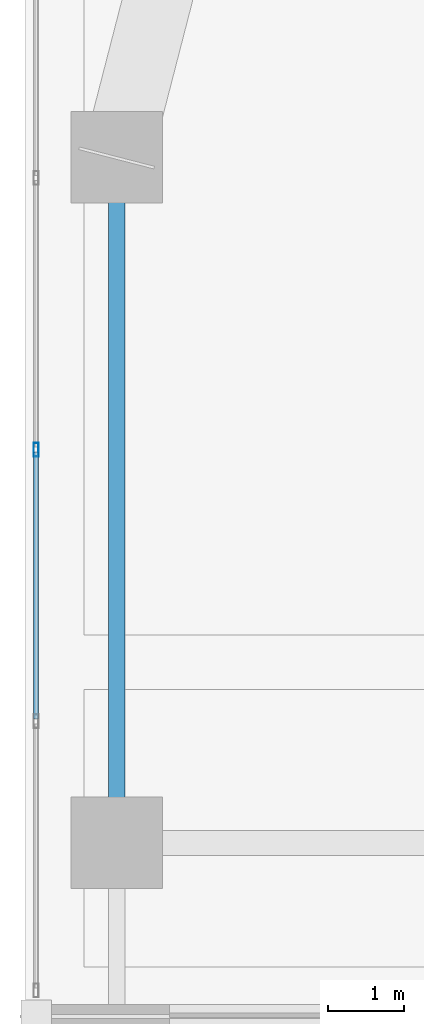
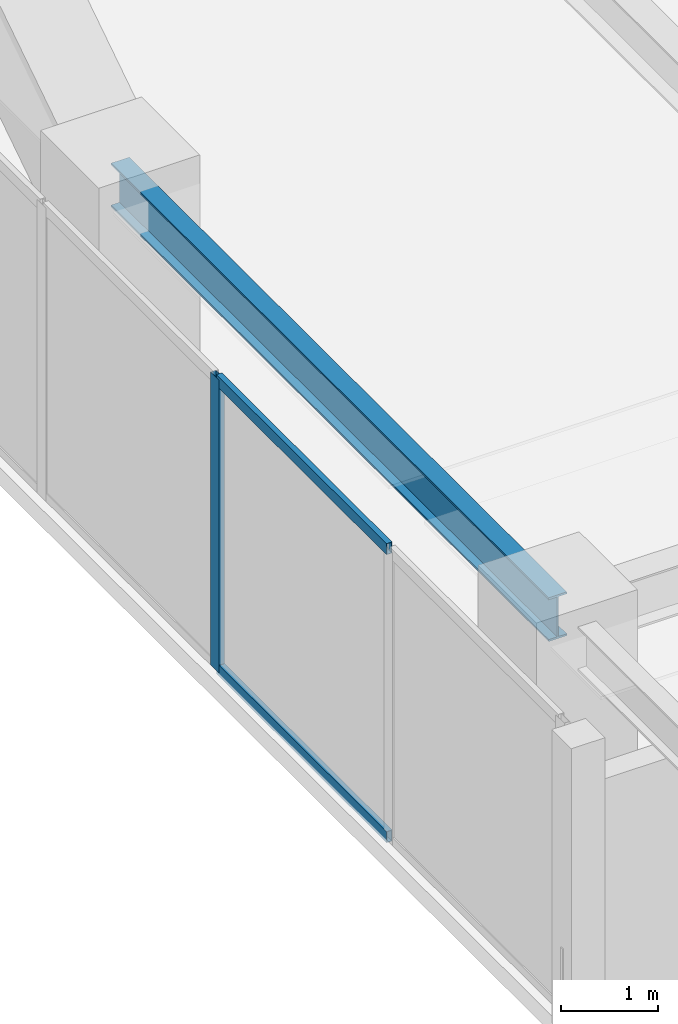
# One storey, part 3 of 26: 3 members, 1 beam, 1 element without a shape of its own.
"""IFC4 building model written with IfcOpenShell, lengths in metres."""

from ifc_helpers import new_model, si_unit, direction, frame, origin, origin_2d, place, context, subcontext, project, spatial, hollow_rectangle, i_section, extrude, material, layer, layer_set, material_profile, profile_set, type_object, element, aggregate, save


model = new_model("IFC4")

# Units and contexts
model_context = context("Model", 3, precision=1e-05, world=origin(), true_north=direction((0.0, 1.0)))
body_context = subcontext(model_context, "Body", "Model", "MODEL_VIEW")
ifc_project = project(units=[si_unit("LENGTHUNIT", "METRE"), si_unit("AREAUNIT", "SQUARE_METRE"), si_unit("VOLUMEUNIT", "CUBIC_METRE"), si_unit("PLANEANGLEUNIT", "RADIAN"), si_unit("MASSUNIT", "GRAM", prefix="KILO")], contexts=[model_context])

# Site, building, storey
site_placement = place(None, origin())
site = spatial("IfcSite", under=ifc_project, at=site_placement, CompositionType="ELEMENT")
building_placement = place(site_placement, origin())
building = spatial("IfcBuilding", under=site, at=building_placement, Name="Kiyonajd Concourse Tower", CompositionType="ELEMENT")
storey_placement = place(building_placement, frame((0.0, 0.0, 186.300048828125)))
storey = spatial("IfcBuildingStorey", under=building, at=storey_placement, Name="L47", CompositionType="ELEMENT", Elevation=186.300048828125)

# Beam
ifc_material_1 = material(Name="Steel ASTM A992 Grade 50", Category="steel")
ifc_material_profile_1 = material_profile(ifc_material_1, i_section(OverallWidth=0.214111328125, OverallDepth=0.549072265625, WebThickness=0.0146484375, FlangeThickness=0.023681640625, at=origin_2d()), Name="W530X138")
ifc_profile_set_1 = profile_set([ifc_material_profile_1], Name="Steel ASTM A992 Grade 50")
beam_type = type_object("IfcBeamType", Name="BM-SPAN-530A", PredefinedType="SPANDREL", material=ifc_profile_set_1)
beam_placement = place(storey_placement, frame((19.199951171875, 53.39990234375, 3.405517578125), z_axis=(0.0, -1.0, 0.0), x_axis=(1.0, 0.0, 0.0)))
element("IfcBeam", 1, at=beam_placement, inside=storey, type_object=beam_type, Name="L47 Perimeter Bundled Tube Spandrel", PredefinedType="SPANDREL", context=body_context, shape_type="SweptSolid", body=[
    extrude(i_section(OverallWidth=0.214111328125, OverallDepth=0.549072265625, WebThickness=0.0146484375, FlangeThickness=0.023681640625, at=origin_2d()), origin(), (0.0, 0.0, 1.0), 9.0),
])

# Curtain wall, members
ifc_material_2 = material(Name="Thermally Broken Anodised Aluminium", Category="aluminium")
ifc_layer = layer(ifc_material_2, 0.179931640625)
ifc_layer_set = layer_set([ifc_layer], Name="Thermally Broken Anodised Aluminium")
curtain_wall_type = type_object("IfcCurtainWallType", Name="CW-SYS-03", PredefinedType="NOTDEFINED", material=ifc_layer_set)
curtain_wall_placement = place(storey_placement, origin())
curtain_wall = element("IfcCurtainWall", 2, at=curtain_wall_placement, inside=storey, type_object=curtain_wall_type, Name="L47 Unitised Curtain Wall CW3", PredefinedType="NOTDEFINED")
ifc_material_profile_2 = material_profile(ifc_material_2, hollow_rectangle(XDim=0.06494140625, YDim=0.179931640625, WallThickness=0.00390625, at=origin_2d()), Name="MULL-65x180")
ifc_profile_set_2 = profile_set([ifc_material_profile_2], Name="Thermally Broken Anodised Aluminium")
member_type_1 = type_object("IfcMemberType", Name="MB-CW-MULL1", PredefinedType="MULLION", material=ifc_profile_set_2)
member_1_placement = place(storey_placement, frame((18.139892578125, 49.560791015625, 0.0), z_axis=(0.0, 0.0, 1.0), x_axis=(-1.0, 0.0, 0.0)))
member_1 = element("IfcMember", 3, at=member_1_placement, type_object=member_type_1, Name="CW3 mullion 3", PredefinedType="MULLION", context=body_context, shape_type="SweptSolid", body=[
    extrude(hollow_rectangle(XDim=0.06494140625, YDim=0.179931640625, WallThickness=0.00390625, at=origin_2d()), origin(), (0.0, 0.0, 1.0), 3.679931640625),
])
ifc_material_profile_3 = material_profile(ifc_material_2, hollow_rectangle(XDim=0.06494140625, YDim=0.139892578125, WallThickness=0.00390625, at=origin_2d()), Name="TRAN-65x140")
ifc_profile_set_3 = profile_set([ifc_material_profile_3], Name="Thermally Broken Anodised Aluminium")
member_type_2 = type_object("IfcMemberType", Name="MB-CW-TRAN1", PredefinedType="USERDEFINED", material=ifc_profile_set_3)
member_2_placement = place(storey_placement, frame((18.139892578125, 46.02783203125, 0.032470703125), z_axis=(0.0, 1.0, 0.0), x_axis=(-1.0, 0.0, 0.0)))
member_2 = element("IfcMember", 4, at=member_2_placement, type_object=member_type_2, Name="CW3 transom 2.1", ObjectType="TRANSOM", PredefinedType="USERDEFINED", context=body_context, shape_type="SweptSolid", body=[
    extrude(hollow_rectangle(XDim=0.06494140625, YDim=0.139892578125, WallThickness=0.00390625, at=origin_2d()), origin(), (0.0, 0.0, 1.0), 3.50048828125),
])
member_3_placement = place(storey_placement, frame((18.139892578125, 46.02783203125, 3.6474609375), z_axis=(0.0, 1.0, 0.0), x_axis=(-1.0, 0.0, 0.0)))
member_3 = element("IfcMember", 5, at=member_3_placement, type_object=member_type_2, Name="CW3 transom 2.2", ObjectType="TRANSOM", PredefinedType="USERDEFINED", context=body_context, shape_type="SweptSolid", body=[
    extrude(hollow_rectangle(XDim=0.06494140625, YDim=0.139892578125, WallThickness=0.00390625, at=origin_2d()), origin(), (0.0, 0.0, 1.0), 3.50048828125),
])
aggregate(curtain_wall, [member_1, member_2, member_3])

save(model, "model.ifc")
